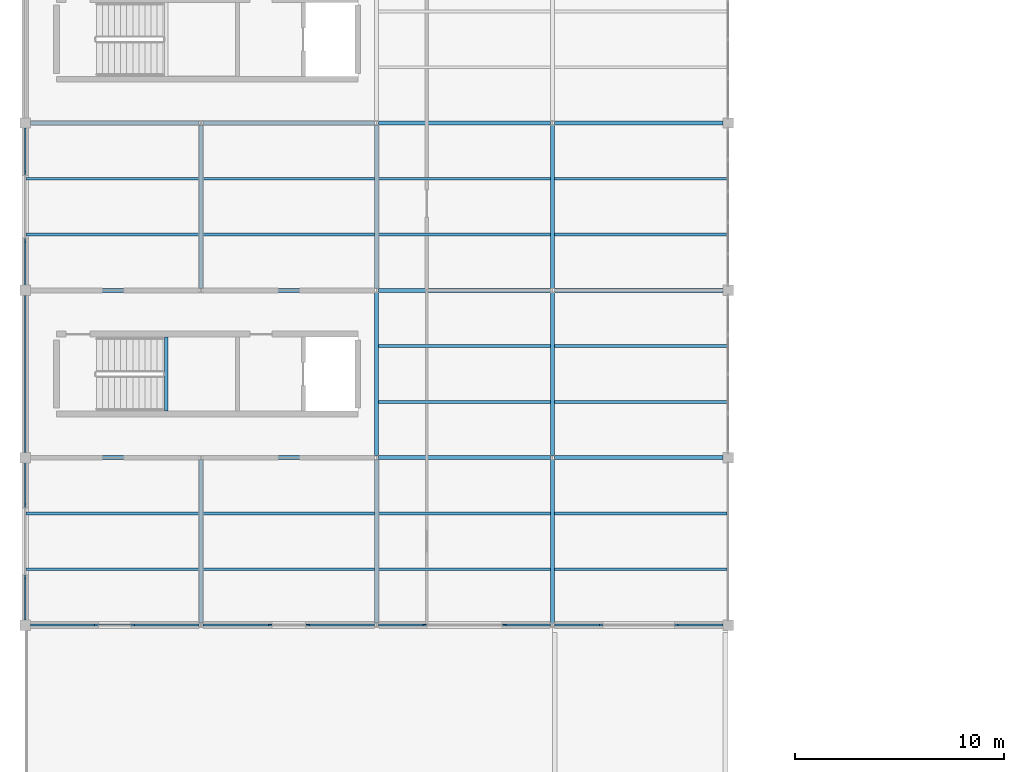
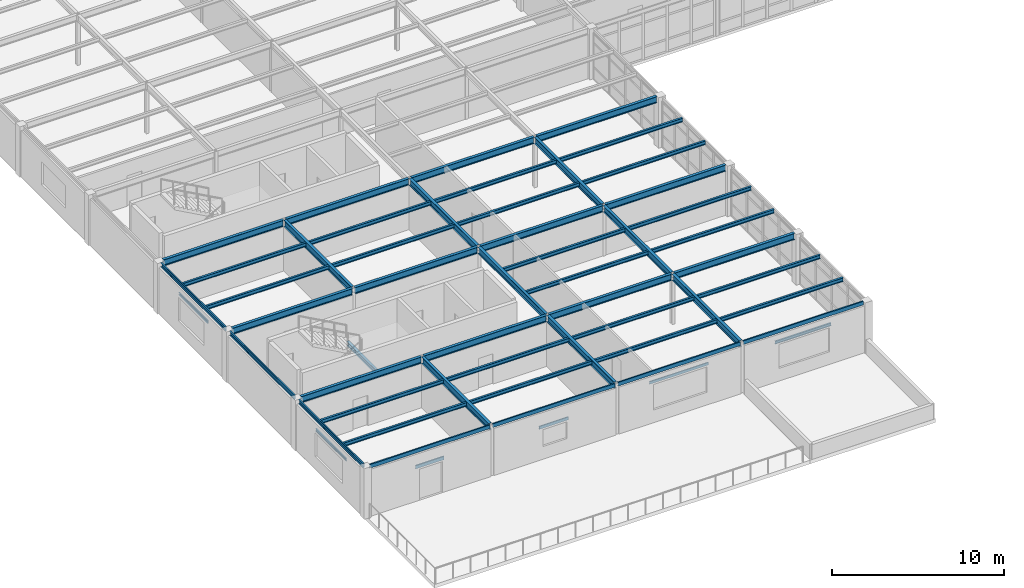
# One storey, part 9 of 32: 54 beams.
"""IFC4 building model written with IfcOpenShell, lengths in metres."""

import ifcopenshell
import ifcopenshell.guid

model = None  # the IFC model being written
_history = None  # IfcOwnerHistory: only IFC2X3 demands one
_inside = {}  # id of a spatial element -> (the spatial element, [elements in it])
_under = {}  # id of a project, library or spatial element -> (it, [spatial elements below it])
_declared = {}  # id of a project -> (the project, [libraries it declares])
_typed = {}  # id of a type object -> (the type object, [elements of that type])
_made_of = {}  # id of a material, layer set ... -> (it, [elements and type objects made of it])


def new_model(schema):
    """Start an empty IFC model of exactly this schema.

    Asked for "IFC4X3", IfcOpenShell would pick the latest addendum, in which some entities
    have other attributes; the version numbers below select the first issue.
    IFC2X3 requires an IfcOwnerHistory on every rooted entity: one is made here for all.
    """
    global model, _history
    if schema == "IFC4X3":
        model = ifcopenshell.file(schema_version=(4, 3, 0, 0))
    else:
        model = ifcopenshell.file(schema=schema)
    _inside.clear()
    _under.clear()
    _declared.clear()
    _typed.clear()
    _made_of.clear()
    _history = None
    if model.schema == "IFC2X3":
        org = make("IfcOrganization", Name="unknown")
        user = make(
            "IfcPersonAndOrganization",
            ThePerson=make("IfcPerson", FamilyName="unknown"),
            TheOrganization=org,
        )
        app = make(
            "IfcApplication",
            ApplicationDeveloper=org,
            Version="unknown",
            ApplicationFullName="unknown",
            ApplicationIdentifier="unknown",
        )
        _history = make(
            "IfcOwnerHistory",
            OwningUser=user,
            OwningApplication=app,
            ChangeAction="ADDED",
            CreationDate=0,
        )
    return model


def make(cls, **values):
    """One entity of the class cls with the attributes given. An attribute that is None is left unset."""
    return model.create_entity(
        cls, **{name: value for name, value in values.items() if value is not None}
    )


def rooted(cls, **values):
    """An entity with a GlobalId (a new one), such as an element, a storey or a relation."""
    return make(cls, GlobalId=ifcopenshell.guid.new(), OwnerHistory=_history, **values)


def si_unit(unit_type, name, prefix=None):
    """IfcSIUnit, for example si_unit("LENGTHUNIT", "METRE", prefix="MILLI")."""
    return make("IfcSIUnit", UnitType=unit_type, Prefix=prefix, Name=name)


def assignment(units):
    """IfcUnitAssignment: the units of a project."""
    return None if units is None else make("IfcUnitAssignment", Units=units)


def point(xyz):
    """IfcCartesianPoint."""
    return None if xyz is None else make("IfcCartesianPoint", Coordinates=xyz)


def direction(xyz):
    """IfcDirection."""
    return None if xyz is None else make("IfcDirection", DirectionRatios=xyz)


def frame(location, z_axis=None, x_axis=None):
    """IfcAxis2Placement3D, a coordinate frame: its origin and axes. An axis left out is left unset."""
    return make(
        "IfcAxis2Placement3D",
        Location=point(location),
        Axis=direction(z_axis),
        RefDirection=direction(x_axis),
    )


def frame_2d(location, x_axis=None):
    """IfcAxis2Placement2D, a coordinate frame in the plane: its origin and x axis."""
    return make(
        "IfcAxis2Placement2D", Location=point(location), RefDirection=direction(x_axis)
    )


def origin():
    """The frame at (0, 0, 0) with its axes left unset."""
    return frame((0.0, 0.0, 0.0))


def origin_2d():
    """The frame at (0, 0) in the plane with its x axis left unset."""
    return frame_2d((0.0, 0.0))


def place(relative_to, where):
    """IfcLocalPlacement: puts the frame where relative to a parent placement (None: the world)."""
    return make(
        "IfcLocalPlacement", PlacementRelTo=relative_to, RelativePlacement=where
    )


def context(
    kind, dimensions, precision=None, world=None, true_north=None, identifier=None
):
    """IfcGeometricRepresentationContext, for example the 3D "Model" context."""
    return make(
        "IfcGeometricRepresentationContext",
        ContextIdentifier=identifier,
        ContextType=kind,
        CoordinateSpaceDimension=dimensions,
        Precision=precision,
        WorldCoordinateSystem=world,
        TrueNorth=true_north,
    )


def subcontext(parent, identifier, kind, view, scale=None):
    """IfcGeometricRepresentationSubContext, for example "Body" below "Model"."""
    return make(
        "IfcGeometricRepresentationSubContext",
        ContextIdentifier=identifier,
        ContextType=kind,
        ParentContext=parent,
        TargetScale=scale,
        TargetView=view,
    )


def project(units=None, contexts=None):
    """IfcProject with its units and contexts."""
    return rooted(
        "IfcProject",
        Name="project",
        RepresentationContexts=contexts,
        UnitsInContext=assignment(units),
    )


def spatial(cls, under=None, at=None, **own):
    """A site, building, storey or space (cls), placed at a placement, below another one or the project."""
    s = rooted(cls, ObjectPlacement=at, **own)
    if under is not None:
        _under.setdefault(under.id(), (under, []))[1].append(s)
    return s


def profile(cls, at=None, kind="AREA", **sizes):
    """A parametric profile (cls). Its sizes go by their IFC names, for example OverallWidth=200.0."""
    return make(cls, ProfileType=kind, Position=at, **sizes)


def i_section(**sizes):
    """IfcIShapeProfileDef."""
    return profile("IfcIShapeProfileDef", **sizes)


def u_section(**sizes):
    """IfcUShapeProfileDef."""
    return profile("IfcUShapeProfileDef", **sizes)


def extrude(swept, where, along, depth):
    """IfcExtrudedAreaSolid: the profile swept, set in the frame where, extruded along a direction by depth."""
    return make(
        "IfcExtrudedAreaSolid",
        SweptArea=swept,
        Position=where,
        ExtrudedDirection=direction(along),
        Depth=depth,
    )


def shape(context_of_items, identifier, shape_type, items):
    """IfcShapeRepresentation: the items that make up one representation, for example the "Body"."""
    return make(
        "IfcShapeRepresentation",
        ContextOfItems=context_of_items,
        RepresentationIdentifier=identifier,
        RepresentationType=shape_type,
        Items=items,
    )


def material(Name=None, Category=None):
    """IfcMaterial."""
    return make("IfcMaterial", Name=Name, Category=Category)


def material_profile(
    of_material, cross_section, Name=None, Category=None, Priority=None
):
    """IfcMaterialProfile: a cross section and its material."""
    return make(
        "IfcMaterialProfile",
        Name=Name,
        Material=of_material,
        Profile=cross_section,
        Priority=Priority,
        Category=Category,
    )


def profile_set(profiles, Name=None, composite=None):
    """IfcMaterialProfileSet."""
    return make(
        "IfcMaterialProfileSet",
        Name=Name,
        MaterialProfiles=profiles,
        CompositeProfile=composite,
    )


def made_of(thing, what):
    """Note that an element or type object is made of a material, layer set ...; save() writes the relation."""
    if what is not None:
        _made_of.setdefault(what.id(), (what, []))[1].append(thing)
    return thing


def type_object(cls, material=None, **own):
    """A type object (cls), such as IfcWallType, which elements share."""
    return made_of(rooted(cls, **own), material)


def element(
    cls,
    number,
    at=None,
    inside=None,
    cuts=None,
    type_object=None,
    material=None,
    context=None,
    identifier="Body",
    shape_type=None,
    held_by="IfcProductDefinitionShape",
    body=None,
    shapes=None,
    **own,
):
    """One element of the class cls, such as IfcWall. Its Tag is "e" and its number.

    at: its placement. inside: the storey or other place that contains it. cuts: it is an
    opening in that element (IfcRelVoidsElement). A single representation is given by context,
    identifier, shape_type and body (its items); several are given by shapes. held_by: the class
    of the entity that holds the representations. save() writes the other relations.
    """
    e = rooted(cls, Tag="e%d" % number, ObjectPlacement=at, **own)
    if body is not None:
        shapes = [shape(context, identifier, shape_type, body)]
    if shapes is not None:
        e.Representation = make(held_by, Representations=shapes)
    if inside is not None:
        _inside.setdefault(inside.id(), (inside, []))[1].append(e)
    if cuts is not None:
        rooted(
            "IfcRelVoidsElement", RelatingBuildingElement=cuts, RelatedOpeningElement=e
        )
    if type_object is not None:
        _typed.setdefault(type_object.id(), (type_object, []))[1].append(e)
    return made_of(e, material)


def aggregate(whole, parts):
    """IfcRelAggregates: a whole, such as a stair, and the parts it consists of."""
    return rooted("IfcRelAggregates", RelatingObject=whole, RelatedObjects=parts)


def save(model, path):
    """Write the relations noted so far, then the file.

    IfcRelAggregates (storeys below a building ...), IfcRelContainedInSpatialStructure (elements
    in a storey), IfcRelDefinesByType, IfcRelAssociatesMaterial and IfcRelDeclares: one each for
    every whole, place, type object, material and project.
    """
    for whole, parts in _under.values():
        aggregate(whole, parts)
    for where, things in _inside.values():
        rooted(
            "IfcRelContainedInSpatialStructure",
            RelatedElements=things,
            RelatingStructure=where,
        )
    for kind, things in _typed.values():
        rooted("IfcRelDefinesByType", RelatedObjects=things, RelatingType=kind)
    for what, things in _made_of.values():
        rooted("IfcRelAssociatesMaterial", RelatedObjects=things, RelatingMaterial=what)
    for by, libraries in _declared.values():
        rooted("IfcRelDeclares", RelatingContext=by, RelatedDefinitions=libraries)
    model.write(path)


model = new_model("IFC4")

# Units and contexts
model_context = context("Model", 3, precision=1e-05, world=origin(), true_north=direction((0.0, 1.0)))
body_context = subcontext(model_context, "Body", "Model", "MODEL_VIEW")
ifc_project = project(units=[si_unit("LENGTHUNIT", "METRE"), si_unit("AREAUNIT", "SQUARE_METRE"), si_unit("VOLUMEUNIT", "CUBIC_METRE"), si_unit("PLANEANGLEUNIT", "RADIAN"), si_unit("MASSUNIT", "GRAM", prefix="KILO")], contexts=[model_context])

# Site, building, storey
site_placement = place(None, origin())
site = spatial("IfcSite", under=ifc_project, at=site_placement, CompositionType="ELEMENT")
building_placement = place(site_placement, origin())
building = spatial("IfcBuilding", under=site, at=building_placement, Name="Kranzveld Transit Interchange", CompositionType="ELEMENT")
storey_placement = place(building_placement, frame((0.0, 0.0, 17.199951171875)))
storey = spatial("IfcBuildingStorey", under=building, at=storey_placement, Name="L04", CompositionType="ELEMENT", Elevation=17.199951171875)

# Beams
ifc_material_1 = material(Name="Steel S355JR", Category="steel")
ifc_material_profile_1 = material_profile(ifc_material_1, i_section(OverallWidth=0.18994140625, OverallDepth=0.453369140625, WebThickness=0.008544921875, FlangeThickness=0.0126953125, FilletRadius=0.01025390625, at=origin_2d()), Name="UB 457x191x67")
ifc_profile_set_1 = profile_set([ifc_material_profile_1], Name="Steel S355JR")
beam_type_1 = type_object("IfcBeamType", Name="Beam Steel UB 457x191x67 S355JR", PredefinedType="BEAM", material=ifc_profile_set_1)
beam_1_placement = place(storey_placement, frame((0.239990234375, 64.0, 3.36328125), z_axis=(1.0, 0.0, 0.0), x_axis=(0.0, 1.0, 0.0)))
element("IfcBeam", 1, at=beam_1_placement, inside=storey, type_object=beam_type_1, Name="L04 Girder 01-02/J", PredefinedType="BEAM", context=body_context, shape_type="SweptSolid", body=[
    extrude(i_section(OverallWidth=0.18994140625, OverallDepth=0.453369140625, WebThickness=0.008544921875, FlangeThickness=0.0126953125, FilletRadius=0.01025390625, at=origin_2d()), origin(), (0.0, 0.0, 1.0), 8.067138671875),
])
beam_2_placement = place(storey_placement, frame((8.492919921875, 64.0, 3.36328125), z_axis=(1.0, 0.0, 0.0), x_axis=(0.0, 1.0, 0.0)))
element("IfcBeam", 2, at=beam_2_placement, inside=storey, type_object=beam_type_1, Name="L04 Girder 02-03/J", PredefinedType="BEAM", context=body_context, shape_type="SweptSolid", body=[
    extrude(i_section(OverallWidth=0.18994140625, OverallDepth=0.453369140625, WebThickness=0.008544921875, FlangeThickness=0.0126953125, FilletRadius=0.01025390625, at=origin_2d()), origin(), (0.0, 0.0, 1.0), 8.214111328125),
])
beam_3_placement = place(storey_placement, frame((16.892822265625, 64.0, 3.36328125), z_axis=(1.0, 0.0, 0.0), x_axis=(0.0, 1.0, 0.0)))
element("IfcBeam", 3, at=beam_3_placement, inside=storey, type_object=beam_type_1, Name="L04 Girder 03-04/J", PredefinedType="BEAM", context=body_context, shape_type="SweptSolid", body=[
    extrude(i_section(OverallWidth=0.18994140625, OverallDepth=0.453369140625, WebThickness=0.008544921875, FlangeThickness=0.0126953125, FilletRadius=0.01025390625, at=origin_2d()), origin(), (0.0, 0.0, 1.0), 8.21435546875),
])
for number, where, z_axis, x_axis, name in (
    (4, (25.29296875, 64.0, 3.36328125), (1.0, 0.0, 0.0), (0.0, 1.0, 0.0), "L04 Girder 04-05/J"),
    (5, (0.239990234375, 72.0, 3.36328125), (1.0, 0.0, 0.0), (0.0, 1.0, 0.0), "L04 Girder 01-02/K"),
):
    element("IfcBeam", number, at=place(storey_placement, frame(where, z_axis=z_axis, x_axis=x_axis)), inside=storey, type_object=beam_type_1, Name=name, PredefinedType="BEAM", context=body_context, shape_type="SweptSolid", body=[
        extrude(i_section(OverallWidth=0.18994140625, OverallDepth=0.453369140625, WebThickness=0.008544921875, FlangeThickness=0.0126953125, FilletRadius=0.01025390625, at=origin_2d()), origin(), (0.0, 0.0, 1.0), 8.067138671875),
    ])
beam_4_placement = place(storey_placement, frame((8.492919921875, 72.0, 3.36328125), z_axis=(1.0, 0.0, 0.0), x_axis=(0.0, 1.0, 0.0)))
element("IfcBeam", 6, at=beam_4_placement, inside=storey, type_object=beam_type_1, Name="L04 Girder 02-03/K", PredefinedType="BEAM", context=body_context, shape_type="SweptSolid", body=[
    extrude(i_section(OverallWidth=0.18994140625, OverallDepth=0.453369140625, WebThickness=0.008544921875, FlangeThickness=0.0126953125, FilletRadius=0.01025390625, at=origin_2d()), origin(), (0.0, 0.0, 1.0), 8.214111328125),
])
beam_5_placement = place(storey_placement, frame((16.892822265625, 72.0, 3.36328125), z_axis=(1.0, 0.0, 0.0), x_axis=(0.0, 1.0, 0.0)))
element("IfcBeam", 7, at=beam_5_placement, inside=storey, type_object=beam_type_1, Name="L04 Girder 03-04/K", PredefinedType="BEAM", context=body_context, shape_type="SweptSolid", body=[
    extrude(i_section(OverallWidth=0.18994140625, OverallDepth=0.453369140625, WebThickness=0.008544921875, FlangeThickness=0.0126953125, FilletRadius=0.01025390625, at=origin_2d()), origin(), (0.0, 0.0, 1.0), 8.21435546875),
])
for number, where, z_axis, x_axis, name in (
    (8, (25.29296875, 72.0, 3.36328125), (1.0, 0.0, 0.0), (0.0, 1.0, 0.0), "L04 Girder 04-05/K"),
    (9, (0.239990234375, 80.0, 3.36328125), (1.0, 0.0, 0.0), (0.0, 1.0, 0.0), "L04 Girder 01-02/L"),
):
    element("IfcBeam", number, at=place(storey_placement, frame(where, z_axis=z_axis, x_axis=x_axis)), inside=storey, type_object=beam_type_1, Name=name, PredefinedType="BEAM", context=body_context, shape_type="SweptSolid", body=[
        extrude(i_section(OverallWidth=0.18994140625, OverallDepth=0.453369140625, WebThickness=0.008544921875, FlangeThickness=0.0126953125, FilletRadius=0.01025390625, at=origin_2d()), origin(), (0.0, 0.0, 1.0), 8.067138671875),
    ])
beam_6_placement = place(storey_placement, frame((8.492919921875, 80.0, 3.36328125), z_axis=(1.0, 0.0, 0.0), x_axis=(0.0, 1.0, 0.0)))
element("IfcBeam", 10, at=beam_6_placement, inside=storey, type_object=beam_type_1, Name="L04 Girder 02-03/L", PredefinedType="BEAM", context=body_context, shape_type="SweptSolid", body=[
    extrude(i_section(OverallWidth=0.18994140625, OverallDepth=0.453369140625, WebThickness=0.008544921875, FlangeThickness=0.0126953125, FilletRadius=0.01025390625, at=origin_2d()), origin(), (0.0, 0.0, 1.0), 8.214111328125),
])
beam_7_placement = place(storey_placement, frame((16.892822265625, 80.0, 3.36328125), z_axis=(1.0, 0.0, 0.0), x_axis=(0.0, 1.0, 0.0)))
element("IfcBeam", 11, at=beam_7_placement, inside=storey, type_object=beam_type_1, Name="L04 Girder 03-04/L", PredefinedType="BEAM", context=body_context, shape_type="SweptSolid", body=[
    extrude(i_section(OverallWidth=0.18994140625, OverallDepth=0.453369140625, WebThickness=0.008544921875, FlangeThickness=0.0126953125, FilletRadius=0.01025390625, at=origin_2d()), origin(), (0.0, 0.0, 1.0), 8.21435546875),
])
beam_8_placement = place(storey_placement, frame((25.29296875, 80.0, 3.36328125), z_axis=(1.0, 0.0, 0.0), x_axis=(0.0, 1.0, 0.0)))
element("IfcBeam", 12, at=beam_8_placement, inside=storey, type_object=beam_type_1, Name="L04 Girder 04-05/L", PredefinedType="BEAM", context=body_context, shape_type="SweptSolid", body=[
    extrude(i_section(OverallWidth=0.18994140625, OverallDepth=0.453369140625, WebThickness=0.008544921875, FlangeThickness=0.0126953125, FilletRadius=0.01025390625, at=origin_2d()), origin(), (0.0, 0.0, 1.0), 8.067138671875),
])
for number, where, z_axis, x_axis, name in (
    (13, (8.39990234375, 56.0947265625, 3.36328125), (0.0, 1.0, 0.0), (-1.0, 0.0, 0.0), "L04 Girder 02/H-J"),
    (14, (8.39990234375, 72.0947265625, 3.36328125), (0.0, 1.0, 0.0), (-1.0, 0.0, 0.0), "L04 Girder 02/K-L"),
    (15, (16.800048828125, 56.0947265625, 3.36328125), (0.0, 1.0, 0.0), (-1.0, 0.0, 0.0), "L04 Girder 03/H-J"),
    (16, (16.800048828125, 64.0947265625, 3.36328125), (0.0, 1.0, 0.0), (-1.0, 0.0, 0.0), "L04 Girder 03/J-K"),
    (17, (16.800048828125, 72.0947265625, 3.36328125), (0.0, 1.0, 0.0), (-1.0, 0.0, 0.0), "L04 Girder 03/K-L"),
    (18, (25.199951171875, 56.0947265625, 3.36328125), (0.0, 1.0, 0.0), (-1.0, 0.0, 0.0), "L04 Girder 04/H-J"),
    (19, (25.199951171875, 64.0947265625, 3.36328125), (0.0, 1.0, 0.0), (-1.0, 0.0, 0.0), "L04 Girder 04/J-K"),
    (20, (25.199951171875, 72.0947265625, 3.36328125), (0.0, 1.0, 0.0), (-1.0, 0.0, 0.0), "L04 Girder 04/K-L"),
):
    element("IfcBeam", number, at=place(storey_placement, frame(where, z_axis=z_axis, x_axis=x_axis)), inside=storey, type_object=beam_type_1, Name=name, PredefinedType="BEAM", context=body_context, shape_type="SweptSolid", body=[
        extrude(i_section(OverallWidth=0.18994140625, OverallDepth=0.453369140625, WebThickness=0.008544921875, FlangeThickness=0.0126953125, FilletRadius=0.01025390625, at=origin_2d()), origin(), (0.0, 0.0, 1.0), 7.810546875),
    ])
ifc_material_2 = material(Name="Steel S355JR", Category="steel")
ifc_material_profile_2 = material_profile(ifc_material_2, i_section(OverallWidth=0.135009765625, OverallDepth=0.27001953125, WebThickness=0.006591796875, FlangeThickness=0.01025390625, FilletRadius=0.014892578125, at=origin_2d()), Name="IPE 270")
ifc_profile_set_2 = profile_set([ifc_material_profile_2], Name="Steel S355JR")
beam_type_2 = type_object("IfcBeamType", Name="Deck Joist IPE 270 S355JR", PredefinedType="JOIST", material=ifc_profile_set_2)
for number, where, z_axis, x_axis, name in (
    (21, (0.047119140625, 58.666748046875, 3.455078125), (1.0, 0.0, 0.0), (0.0, 1.0, 0.0), "L04 Secondary Joist 01-02/H.1"),
    (22, (0.047119140625, 61.333251953125, 3.455078125), (1.0, 0.0, 0.0), (0.0, 1.0, 0.0), "L04 Secondary Joist 01-02/H.2"),
    (23, (0.047119140625, 74.666748046875, 3.455078125), (1.0, 0.0, 0.0), (0.0, 1.0, 0.0), "L04 Secondary Joist 01-02/K.1"),
    (24, (0.047119140625, 77.333251953125, 3.455078125), (1.0, 0.0, 0.0), (0.0, 1.0, 0.0), "L04 Secondary Joist 01-02/K.2"),
):
    element("IfcBeam", number, at=place(storey_placement, frame(where, z_axis=z_axis, x_axis=x_axis)), inside=storey, type_object=beam_type_2, Name=name, PredefinedType="JOIST", context=body_context, shape_type="SweptSolid", body=[
        extrude(i_section(OverallWidth=0.135009765625, OverallDepth=0.27001953125, WebThickness=0.006591796875, FlangeThickness=0.01025390625, FilletRadius=0.014892578125, at=origin_2d()), origin(), (0.0, 0.0, 1.0), 8.255859375),
    ])
for number, where, z_axis, x_axis, name in (
    (25, (8.4970703125, 58.666748046875, 3.455078125), (1.0, 0.0, 0.0), (0.0, 1.0, 0.0), "L04 Secondary Joist 02-03/H.1"),
    (26, (8.4970703125, 61.333251953125, 3.455078125), (1.0, 0.0, 0.0), (0.0, 1.0, 0.0), "L04 Secondary Joist 02-03/H.2"),
    (27, (8.4970703125, 74.666748046875, 3.455078125), (1.0, 0.0, 0.0), (0.0, 1.0, 0.0), "L04 Secondary Joist 02-03/K.1"),
    (28, (8.4970703125, 77.333251953125, 3.455078125), (1.0, 0.0, 0.0), (0.0, 1.0, 0.0), "L04 Secondary Joist 02-03/K.2"),
    (29, (16.89697265625, 58.666748046875, 3.455078125), (1.0, 0.0, 0.0), (0.0, 1.0, 0.0), "L04 Secondary Joist 03-04/H.1"),
    (30, (16.89697265625, 61.333251953125, 3.455078125), (1.0, 0.0, 0.0), (0.0, 1.0, 0.0), "L04 Secondary Joist 03-04/H.2"),
    (31, (16.89697265625, 66.666748046875, 3.455078125), (1.0, 0.0, 0.0), (0.0, 1.0, 0.0), "L04 Secondary Joist 03-04/J.1"),
    (32, (16.89697265625, 69.333251953125, 3.455078125), (1.0, 0.0, 0.0), (0.0, 1.0, 0.0), "L04 Secondary Joist 03-04/J.2"),
    (33, (16.89697265625, 74.666748046875, 3.455078125), (1.0, 0.0, 0.0), (0.0, 1.0, 0.0), "L04 Secondary Joist 03-04/K.1"),
    (34, (16.89697265625, 77.333251953125, 3.455078125), (1.0, 0.0, 0.0), (0.0, 1.0, 0.0), "L04 Secondary Joist 03-04/K.2"),
):
    element("IfcBeam", number, at=place(storey_placement, frame(where, z_axis=z_axis, x_axis=x_axis)), inside=storey, type_object=beam_type_2, Name=name, PredefinedType="JOIST", context=body_context, shape_type="SweptSolid", body=[
        extrude(i_section(OverallWidth=0.135009765625, OverallDepth=0.27001953125, WebThickness=0.006591796875, FlangeThickness=0.01025390625, FilletRadius=0.014892578125, at=origin_2d()), origin(), (0.0, 0.0, 1.0), 8.2060546875),
    ])
for number, where, z_axis, x_axis, name in (
    (35, (25.296875, 58.666748046875, 3.455078125), (1.0, 0.0, 0.0), (0.0, 1.0, 0.0), "L04 Secondary Joist 04-05/H.1"),
    (36, (25.296875, 61.333251953125, 3.455078125), (1.0, 0.0, 0.0), (0.0, 1.0, 0.0), "L04 Secondary Joist 04-05/H.2"),
    (37, (25.296875, 66.666748046875, 3.455078125), (1.0, 0.0, 0.0), (0.0, 1.0, 0.0), "L04 Secondary Joist 04-05/J.1"),
    (38, (25.296875, 69.333251953125, 3.455078125), (1.0, 0.0, 0.0), (0.0, 1.0, 0.0), "L04 Secondary Joist 04-05/J.2"),
    (39, (25.296875, 74.666748046875, 3.455078125), (1.0, 0.0, 0.0), (0.0, 1.0, 0.0), "L04 Secondary Joist 04-05/K.1"),
    (40, (25.296875, 77.333251953125, 3.455078125), (1.0, 0.0, 0.0), (0.0, 1.0, 0.0), "L04 Secondary Joist 04-05/K.2"),
):
    element("IfcBeam", number, at=place(storey_placement, frame(where, z_axis=z_axis, x_axis=x_axis)), inside=storey, type_object=beam_type_2, Name=name, PredefinedType="JOIST", context=body_context, shape_type="SweptSolid", body=[
        extrude(i_section(OverallWidth=0.135009765625, OverallDepth=0.27001953125, WebThickness=0.006591796875, FlangeThickness=0.01025390625, FilletRadius=0.014892578125, at=origin_2d()), origin(), (0.0, 0.0, 1.0), 8.256103515625),
    ])
ifc_material_3 = material(Name="Steel S355JR", Category="steel")
ifc_material_profile_3 = material_profile(ifc_material_3, u_section(Depth=0.260009765625, FlangeWidth=0.090087890625, WebThickness=0.008056640625, FlangeThickness=0.013916015625, FilletRadius=0.011962890625, at=origin_2d()), Name="PFC 260x90x35")
ifc_profile_set_3 = profile_set([ifc_material_profile_3], Name="Steel S355JR")
beam_type_3 = type_object("IfcBeamType", Name="Edge Spandrel PFC 260x90x35 S355JR", PredefinedType="SPANDREL", material=ifc_profile_set_3)
beam_9_placement = place(storey_placement, frame((0.239990234375, 56.0, 3.4599609375), z_axis=(1.0, 0.0, 0.0), x_axis=(0.0, 1.0, 0.0)))
element("IfcBeam", 41, at=beam_9_placement, inside=storey, type_object=beam_type_3, Name="L04 Girder 01-02/H", PredefinedType="SPANDREL", context=body_context, shape_type="SweptSolid", body=[
    extrude(u_section(Depth=0.260009765625, FlangeWidth=0.090087890625, WebThickness=0.008056640625, FlangeThickness=0.013916015625, FilletRadius=0.011962890625, at=origin_2d()), origin(), (0.0, 0.0, 1.0), 8.067138671875),
])
beam_10_placement = place(storey_placement, frame((8.492919921875, 56.0, 3.4599609375), z_axis=(1.0, 0.0, 0.0), x_axis=(0.0, 1.0, 0.0)))
element("IfcBeam", 42, at=beam_10_placement, inside=storey, type_object=beam_type_3, Name="L04 Girder 02-03/H", PredefinedType="SPANDREL", context=body_context, shape_type="SweptSolid", body=[
    extrude(u_section(Depth=0.260009765625, FlangeWidth=0.090087890625, WebThickness=0.008056640625, FlangeThickness=0.013916015625, FilletRadius=0.011962890625, at=origin_2d()), origin(), (0.0, 0.0, 1.0), 8.214111328125),
])
beam_11_placement = place(storey_placement, frame((16.892822265625, 56.0, 3.4599609375), z_axis=(1.0, 0.0, 0.0), x_axis=(0.0, 1.0, 0.0)))
element("IfcBeam", 43, at=beam_11_placement, inside=storey, type_object=beam_type_3, Name="L04 Girder 03-04/H", PredefinedType="SPANDREL", context=body_context, shape_type="SweptSolid", body=[
    extrude(u_section(Depth=0.260009765625, FlangeWidth=0.090087890625, WebThickness=0.008056640625, FlangeThickness=0.013916015625, FilletRadius=0.011962890625, at=origin_2d()), origin(), (0.0, 0.0, 1.0), 8.21435546875),
])
beam_12_placement = place(storey_placement, frame((25.29296875, 56.0, 3.4599609375), z_axis=(1.0, 0.0, 0.0), x_axis=(0.0, 1.0, 0.0)))
element("IfcBeam", 44, at=beam_12_placement, inside=storey, type_object=beam_type_3, Name="L04 Girder 04-05/H", PredefinedType="SPANDREL", context=body_context, shape_type="SweptSolid", body=[
    extrude(u_section(Depth=0.260009765625, FlangeWidth=0.090087890625, WebThickness=0.008056640625, FlangeThickness=0.013916015625, FilletRadius=0.011962890625, at=origin_2d()), origin(), (0.0, 0.0, 1.0), 8.067138671875),
])
ifc_material_4 = material(Name="Steel S355JR", Category="steel")
ifc_material_profile_4 = material_profile(ifc_material_4, u_section(Depth=0.300048828125, FlangeWidth=0.090087890625, WebThickness=0.009033203125, FlangeThickness=0.015380859375, FilletRadius=0.011962890625, at=origin_2d()), Name="PFC 300x90x41")
ifc_profile_set_4 = profile_set([ifc_material_profile_4], Name="Steel S355JR")
beam_type_4 = type_object("IfcBeamType", Name="Edge Spandrel PFC 300x90x41 S355JR", PredefinedType="SPANDREL", material=ifc_profile_set_4)
for number, where, z_axis, x_axis, name in (
    (45, (0.0, 56.239990234375, 3.43994140625), (0.0, 1.0, 0.0), (-1.0, 0.0, 0.0), "L04 Girder 01/H-J"),
    (46, (0.0, 64.239990234375, 3.43994140625), (0.0, 1.0, 0.0), (-1.0, 0.0, 0.0), "L04 Girder 01/J-K"),
    (47, (0.0, 72.239990234375, 3.43994140625), (0.0, 1.0, 0.0), (-1.0, 0.0, 0.0), "L04 Girder 01/K-L"),
):
    element("IfcBeam", number, at=place(storey_placement, frame(where, z_axis=z_axis, x_axis=x_axis)), inside=storey, type_object=beam_type_4, Name=name, PredefinedType="SPANDREL", context=body_context, shape_type="SweptSolid", body=[
        extrude(u_section(Depth=0.300048828125, FlangeWidth=0.090087890625, WebThickness=0.009033203125, FlangeThickness=0.015380859375, FilletRadius=0.011962890625, at=origin_2d()), origin(), (0.0, 0.0, 1.0), 7.52001953125),
    ])
ifc_material_5 = material(Name="Steel S355JR", Category="steel")
ifc_material_profile_5 = material_profile(ifc_material_5, u_section(Depth=0.179931640625, FlangeWidth=0.070068359375, WebThickness=0.007080078125, FlangeThickness=0.010986328125, FilletRadius=0.010009765625, at=origin_2d()), Name="PFC 180x70x22")
ifc_profile_set_5 = profile_set([ifc_material_profile_5], Name="Steel S355JR")
beam_type_5 = type_object("IfcBeamType", Name="Masonry Lintel PFC 180x70x22 S355JR", PredefinedType="LINTEL", material=ifc_profile_set_5)
beam_13_placement = place(storey_placement, frame((19.02001953125, 56.0, 2.795166015625), z_axis=(1.0, 0.0, 0.0), x_axis=(0.0, 1.0, 0.0)))
element("IfcBeam", 48, at=beam_13_placement, inside=storey, type_object=beam_type_5, Name="L04 Window Lintel 201", PredefinedType="LINTEL", context=body_context, shape_type="SweptSolid", body=[
    extrude(u_section(Depth=0.179931640625, FlangeWidth=0.070068359375, WebThickness=0.007080078125, FlangeThickness=0.010986328125, FilletRadius=0.010009765625, at=origin_2d()), origin(), (0.0, 0.0, 1.0), 3.9599609375),
])
ifc_material_6 = material(Name="Steel S355JR", Category="steel")
ifc_material_profile_6 = material_profile(ifc_material_6, u_section(Depth=0.199951171875, FlangeWidth=0.074951171875, WebThickness=0.006103515625, FlangeThickness=0.012451171875, FilletRadius=0.011962890625, at=origin_2d()), Name="PFC 200x75x23")
ifc_profile_set_6 = profile_set([ifc_material_profile_6], Name="Steel S355JR")
beam_type_6 = type_object("IfcBeamType", Name="Masonry Lintel PFC 200x75x23 S355JR", PredefinedType="LINTEL", material=ifc_profile_set_6)
beam_14_placement = place(storey_placement, frame((11.6201171875, 56.0, 2.205078125), z_axis=(1.0, 0.0, 0.0), x_axis=(0.0, 1.0, 0.0)))
element("IfcBeam", 49, at=beam_14_placement, inside=storey, type_object=beam_type_6, Name="L04 Window Lintel 200", PredefinedType="LINTEL", context=body_context, shape_type="SweptSolid", body=[
    extrude(u_section(Depth=0.199951171875, FlangeWidth=0.074951171875, WebThickness=0.006103515625, FlangeThickness=0.012451171875, FilletRadius=0.011962890625, at=origin_2d()), origin(), (0.0, 0.0, 1.0), 1.9599609375),
])
beam_15_placement = place(storey_placement, frame((0.0, 74.320068359375, 2.655029296875), z_axis=(0.0, 1.0, 0.0), x_axis=(-1.0, 0.0, 0.0)))
element("IfcBeam", 50, at=beam_15_placement, inside=storey, type_object=beam_type_6, Name="L04 Window Lintel 204", PredefinedType="LINTEL", context=body_context, shape_type="SweptSolid", body=[
    extrude(u_section(Depth=0.199951171875, FlangeWidth=0.074951171875, WebThickness=0.006103515625, FlangeThickness=0.012451171875, FilletRadius=0.011962890625, at=origin_2d()), origin(), (0.0, 0.0, 1.0), 3.35986328125),
])
ifc_material_7 = material(Name="Steel S355JR", Category="steel")
ifc_material_profile_7 = material_profile(ifc_material_7, u_section(Depth=0.22998046875, FlangeWidth=0.090087890625, WebThickness=0.007568359375, FlangeThickness=0.013916015625, FilletRadius=0.011962890625, at=origin_2d()), Name="PFC 230x90x32")
ifc_profile_set_7 = profile_set([ifc_material_profile_7], Name="Steel S355JR")
beam_type_7 = type_object("IfcBeamType", Name="Masonry Lintel PFC 230x90x32 S355JR", PredefinedType="LINTEL", material=ifc_profile_set_7)
beam_16_placement = place(storey_placement, frame((3.318603515625, 56.0, 2.320068359375), z_axis=(1.0, 0.0, 0.0), x_axis=(0.0, 1.0, 0.0)))
element("IfcBeam", 51, at=beam_16_placement, inside=storey, type_object=beam_type_7, Name="L04 Exterior Door Lintel 018", PredefinedType="LINTEL", context=body_context, shape_type="SweptSolid", body=[
    extrude(u_section(Depth=0.22998046875, FlangeWidth=0.090087890625, WebThickness=0.007568359375, FlangeThickness=0.013916015625, FilletRadius=0.011962890625, at=origin_2d()), origin(), (0.0, 0.0, 1.0), 1.909912109375),
])
ifc_material_8 = material(Name="Steel S355JR", Category="steel")
ifc_material_profile_8 = material_profile(ifc_material_8, i_section(OverallWidth=0.091064453125, OverallDepth=0.179931640625, WebThickness=0.00537109375, FlangeThickness=0.008056640625, FilletRadius=0.009033203125, at=origin_2d()), Name="IPE 180")
ifc_profile_set_8 = profile_set([ifc_material_profile_8], Name="Steel S355JR")
beam_type_8 = type_object("IfcBeamType", Name="Opening Lintel IPE 180 S355JR", PredefinedType="LINTEL", material=ifc_profile_set_8)
beam_17_placement = place(storey_placement, frame((0.0, 58.219970703125, 2.64501953125), z_axis=(0.0, 1.0, 0.0), x_axis=(-1.0, 0.0, 0.0)))
element("IfcBeam", 52, at=beam_17_placement, inside=storey, type_object=beam_type_8, Name="L04 Window Lintel 203", PredefinedType="LINTEL", context=body_context, shape_type="SweptSolid", body=[
    extrude(i_section(OverallWidth=0.091064453125, OverallDepth=0.179931640625, WebThickness=0.00537109375, FlangeThickness=0.008056640625, FilletRadius=0.009033203125, at=origin_2d()), origin(), (0.0, 0.0, 1.0), 3.56005859375),
])
ifc_material_9 = material(Name="Steel S355JR", Category="steel")
ifc_material_profile_9 = material_profile(ifc_material_9, i_section(OverallWidth=0.10009765625, OverallDepth=0.199951171875, WebThickness=0.005615234375, FlangeThickness=0.008544921875, FilletRadius=0.011962890625, at=origin_2d()), Name="IPE 200")
ifc_profile_set_9 = profile_set([ifc_material_profile_9], Name="Steel S355JR")
beam_type_9 = type_object("IfcBeamType", Name="Opening Lintel IPE 200 S355JR", PredefinedType="LINTEL", material=ifc_profile_set_9)
beam_18_placement = place(storey_placement, frame((27.446533203125, 56.0, 2.705078125), z_axis=(1.0, 0.0, 0.0), x_axis=(0.0, 1.0, 0.0)))
element("IfcBeam", 53, at=beam_18_placement, inside=storey, type_object=beam_type_9, Name="L04 Window Lintel 202", PredefinedType="LINTEL", context=body_context, shape_type="SweptSolid", body=[
    extrude(i_section(OverallWidth=0.10009765625, OverallDepth=0.199951171875, WebThickness=0.005615234375, FlangeThickness=0.008544921875, FilletRadius=0.011962890625, at=origin_2d()), origin(), (0.0, 0.0, 1.0), 3.760009765625),
])
ifc_material_10 = material(Name="Steel S355JR", Category="steel")
ifc_material_profile_10 = material_profile(ifc_material_10, i_section(OverallWidth=0.165771484375, OverallDepth=0.306640625, WebThickness=0.006591796875, FlangeThickness=0.01171875, FilletRadius=0.0087890625, at=origin_2d()), Name="UB 305x165x46")
ifc_profile_set_10 = profile_set([ifc_material_profile_10], Name="Steel S355JR")
beam_type_10 = type_object("IfcBeamType", Name="Roof Joist UB 305x165x46 S355JR", PredefinedType="JOIST", material=ifc_profile_set_10)
beam_19_placement = place(storey_placement, frame((6.75, 66.22998046875, 1.566650390625), z_axis=(0.0, 1.0, 0.0), x_axis=(-1.0, 0.0, 0.0)))
element("IfcBeam", 54, at=beam_19_placement, inside=storey, type_object=beam_type_10, Name="L04 ST-C1 Half-Landing Support Beam", PredefinedType="BEAM", context=body_context, shape_type="SweptSolid", body=[
    extrude(i_section(OverallWidth=0.165771484375, OverallDepth=0.306640625, WebThickness=0.006591796875, FlangeThickness=0.01171875, FilletRadius=0.0087890625, at=origin_2d()), origin(), (0.0, 0.0, 1.0), 3.5400390625),
])

save(model, "model.ifc")
